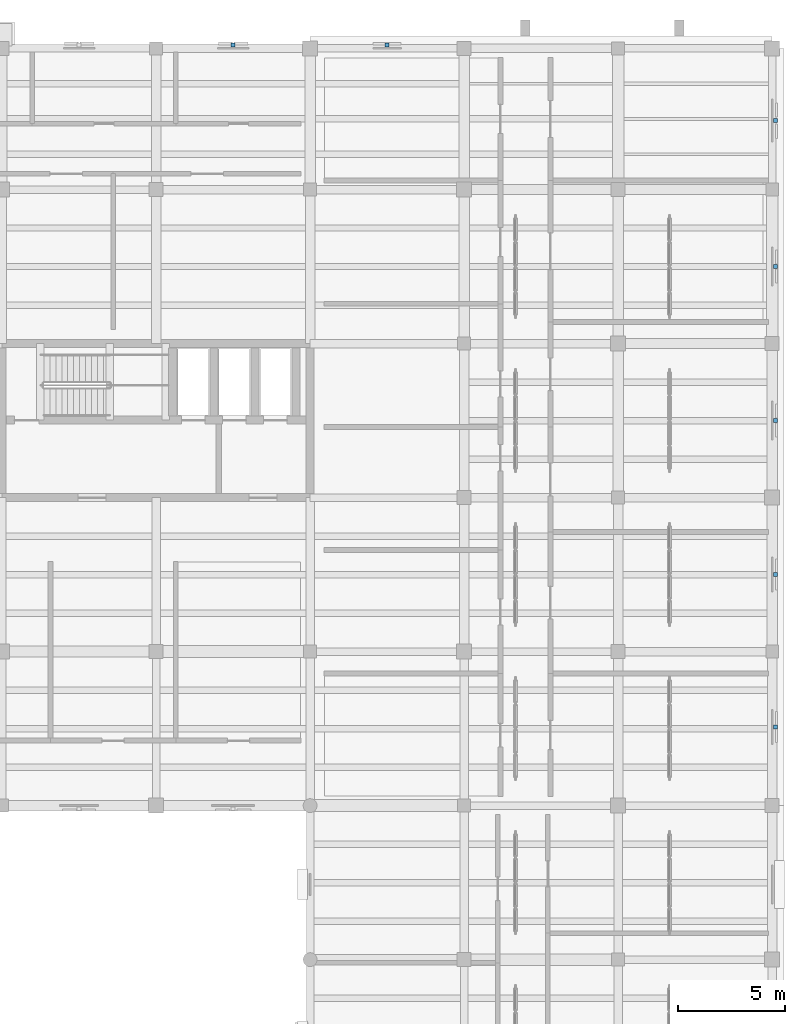
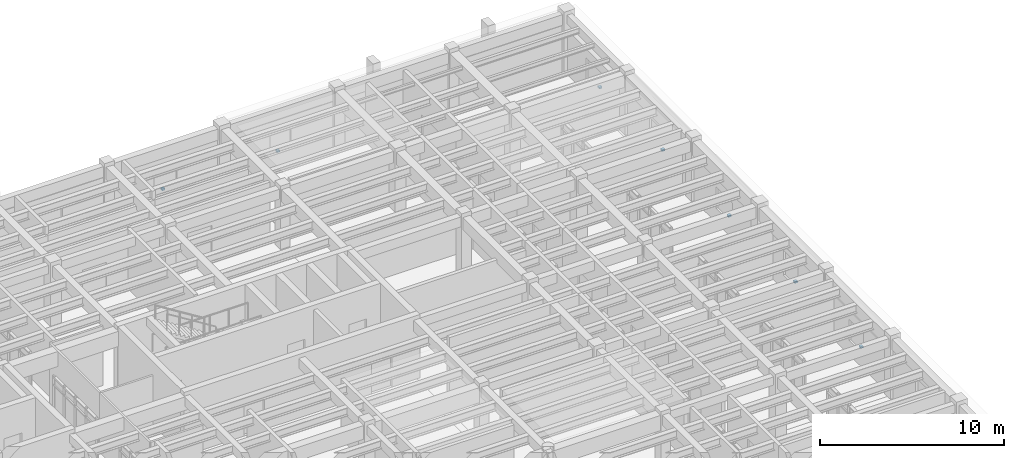
# One storey, part 58 of 66: 7 discrete accessories.
"""IFC4 building model written with IfcOpenShell, lengths in metres."""

from ifc_helpers import new_model, si_unit, direction, frame, origin, origin_2d, place, context, subcontext, project, spatial, rectangle, extrude, material, type_object, element, save


model = new_model("IFC4")

# Units and contexts
model_context = context("Model", 3, precision=1e-05, world=origin(), true_north=direction((0.0, 1.0)))
body_context = subcontext(model_context, "Body", "Model", "MODEL_VIEW")
ifc_project = project(units=[si_unit("LENGTHUNIT", "METRE"), si_unit("AREAUNIT", "SQUARE_METRE"), si_unit("VOLUMEUNIT", "CUBIC_METRE"), si_unit("PLANEANGLEUNIT", "RADIAN"), si_unit("MASSUNIT", "GRAM", prefix="KILO")], contexts=[model_context])

# Site, building, storey
site_placement = place(None, origin())
site = spatial("IfcSite", under=ifc_project, at=site_placement, CompositionType="ELEMENT")
building_placement = place(site_placement, origin())
building = spatial("IfcBuilding", under=site, at=building_placement, Name="Mithqara Police Headquarters", CompositionType="ELEMENT")
storey_placement = place(building_placement, frame((0.0, 0.0, 9.60009765625)))
storey = spatial("IfcBuildingStorey", under=building, at=storey_placement, Name="L02", CompositionType="ELEMENT", Elevation=9.60009765625)

# Discrete accessories
ifc_material = material(Name="Steel S355JR", Category="steel")
discrete_accessory_type = type_object("IfcDiscreteAccessoryType", Name="SCREEN BRACKET SS", PredefinedType="BRACKET", material=ifc_material)
for number, where, z_axis, x_axis, name in (
    (1, (166.35009765625, 82.27490234375, 0.849853515625), (0.0, 0.0, 1.0), (0.0, 1.0, 0.0), "L02 Stone Screen Support Bracket 8.1"),
    (2, (166.35009765625, 89.39990234375, 0.849853515625), (0.0, 0.0, 1.0), (0.0, 1.0, 0.0), "L02 Stone Screen Support Bracket 8.2"),
    (3, (166.35009765625, 96.60009765625, 0.849853515625), (0.0, 0.0, 1.0), (0.0, 1.0, 0.0), "L02 Stone Screen Support Bracket 8.3"),
    (4, (166.35009765625, 103.800048828125, 0.849853515625), (0.0, 0.0, 1.0), (0.0, 1.0, 0.0), "L02 Stone Screen Support Bracket 8.4"),
    (5, (166.35009765625, 110.625, 0.849853515625), (0.0, 0.0, 1.0), (0.0, 1.0, 0.0), "L02 Stone Screen Support Bracket 8.5"),
    (6, (148.199951171875, 114.14990234375, 0.849853515625), (0.0, 0.0, 1.0), (1.0, 0.0, 0.0), "L02 Stone Screen Support Bracket 9.1"),
    (7, (141.0, 114.14990234375, 0.849853515625), (0.0, 0.0, 1.0), (1.0, 0.0, 0.0), "L02 Stone Screen Support Bracket 10.5"),
):
    element("IfcDiscreteAccessory", number, at=place(storey_placement, frame(where, z_axis=z_axis, x_axis=x_axis)), inside=storey, type_object=discrete_accessory_type, Name=name, PredefinedType="BRACKET", context=body_context, shape_type="SweptSolid", body=[
        extrude(rectangle(XDim=0.179931640625, YDim=0.179931640625, at=origin_2d()), origin(), (0.0, 0.0, 1.0), 0.1201171875),
    ])

save(model, "model.ifc")
